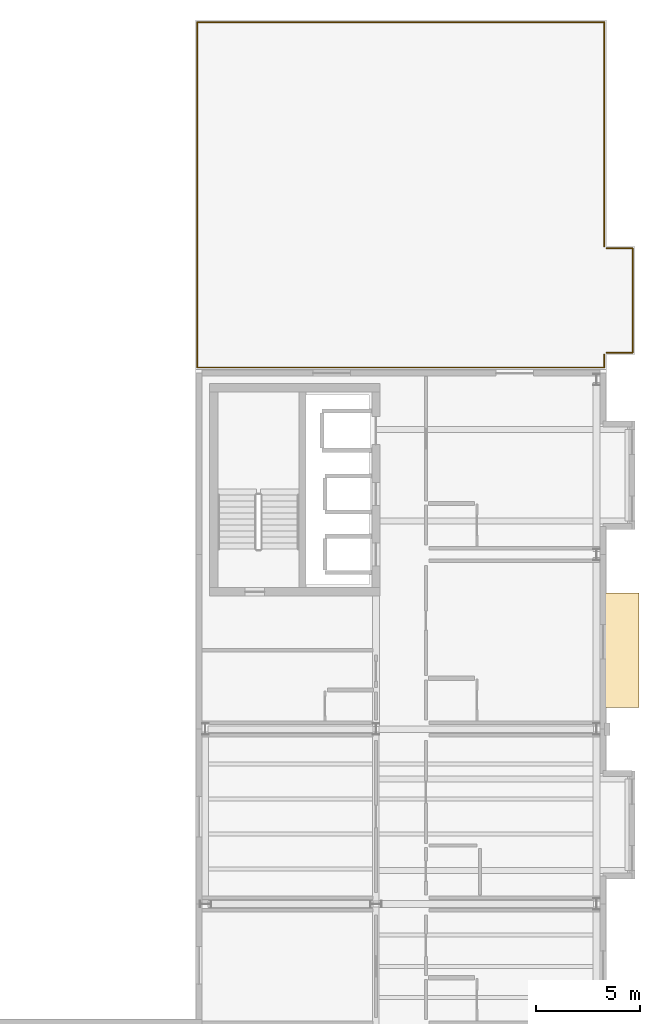
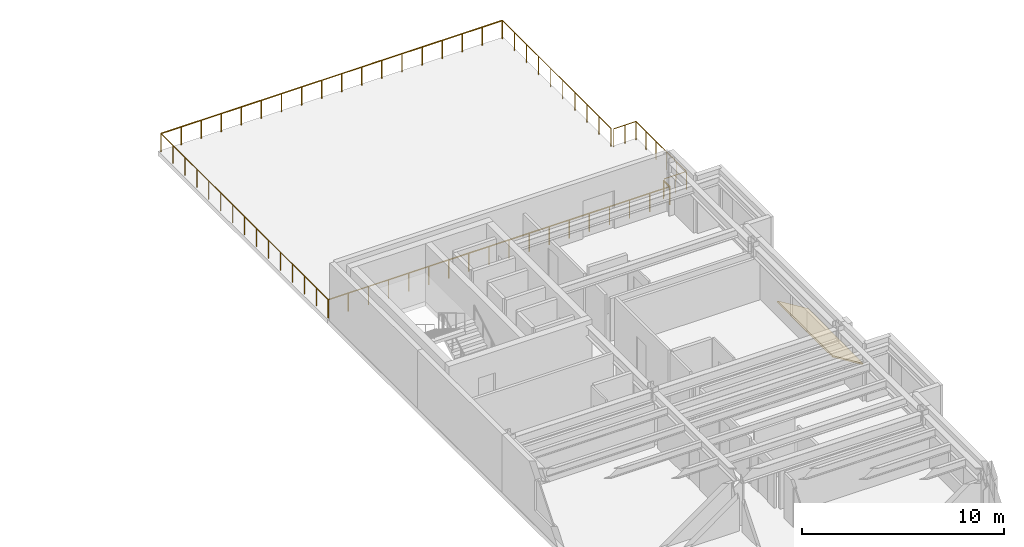
# One storey, part 19 of 19: 8 railings, 1 covering.
"""IFC4 building model written with IfcOpenShell, lengths in metres."""

from ifc_helpers import new_model, si_unit, direction, frame, origin, origin_2d, place, context, subcontext, project, spatial, polyline, circle, outline, extrude, material, layer, layer_set, type_object, element, save


model = new_model("IFC4")

# Units and contexts
model_context = context("Model", 3, precision=1e-05, world=origin(), true_north=direction((0.0, 1.0)))
body_context = subcontext(model_context, "Body", "Model", "MODEL_VIEW")
ifc_project = project(units=[si_unit("LENGTHUNIT", "METRE"), si_unit("AREAUNIT", "SQUARE_METRE"), si_unit("VOLUMEUNIT", "CUBIC_METRE"), si_unit("PLANEANGLEUNIT", "RADIAN"), si_unit("MASSUNIT", "GRAM", prefix="KILO")], contexts=[model_context])

# Site, building, storey
site_placement = place(None, origin())
site = spatial("IfcSite", under=ifc_project, at=site_placement, CompositionType="ELEMENT")
building_placement = place(site_placement, origin())
building = spatial("IfcBuilding", under=site, at=building_placement, Name="Sollismere Congress Hotel", CompositionType="ELEMENT")
storey_placement = place(building_placement, frame((0.0, 0.0, 34.10009765625)))
storey = spatial("IfcBuildingStorey", under=building, at=storey_placement, Name="L08", CompositionType="ELEMENT", Elevation=34.10009765625)

# Covering
ifc_material_1 = material(Name="Standing-Seam Titanium-Zinc Roof Assembly")
ifc_layer = layer(ifc_material_1, 0.054931640625, Name="Standing-Seam Titanium-Zinc Roof Assembly")
ifc_layer_set = layer_set([ifc_layer], Name="Standing-Seam Titanium-Zinc Roof Assembly")
covering_type = type_object("IfcCoveringType", Name="CV-RFZNC", PredefinedType="ROOFING", material=ifc_layer_set)
covering_placement = place(storey_placement, frame((166.258056640625, 34.25, 0.716796875), z_axis=(0.525209771298, 0.0, 0.850972794003), x_axis=(0.850972794003, 0.0, -0.525209771298)))
element("IfcCovering", 1, at=covering_placement, inside=storey, type_object=covering_type, Name="Cikma bay sacak hood SL-CKH-27", PredefinedType="ROOFING", context=body_context, shape_type="SweptSolid", body=[
    extrude(outline(polyline([(0.0, 0.0), (2.056396484375, 0.0), (2.056396484375, 5.5), (0.0, 5.5), (0.0, 0.0)])), origin(), (0.0, 0.0, 1.0), 0.080078125),
])

# Railings
ifc_material_2 = material(Name="Laminated Safety Glass & Bronze Cap Rail", Category="glass")
railing_type = type_object("IfcRailingType", Name="RL-GD112", PredefinedType="GUARDRAIL", material=ifc_material_2)
railing_1_placement = place(storey_placement, frame((167.75, 56.300048828125, 0.0)))
element("IfcRailing", 2, at=railing_1_placement, inside=storey, type_object=railing_type, Name="RLG-GD-L08-016", PredefinedType="GUARDRAIL", context=body_context, shape_type="SweptSolid", body=[
    extrude(circle(Radius=0.02392578125, at=origin_2d()), frame((0.0, 0.0, 1.09619140625), z_axis=(0.0, -1.0, 0.0), x_axis=(1.0, 0.0, 0.0)), (0.0, 0.0, 1.0), 5.0),
    extrude(circle(Radius=0.02099609375, at=origin_2d()), origin(), (0.0, 0.0, 1.0), 1.072021484375),
    extrude(circle(Radius=0.02099609375, at=origin_2d()), frame((0.0, -1.0, 0.0)), (0.0, 0.0, 1.0), 1.072021484375),
    extrude(circle(Radius=0.02099609375, at=origin_2d()), frame((0.0, -2.0, 0.0)), (0.0, 0.0, 1.0), 1.072021484375),
    extrude(circle(Radius=0.02099609375, at=origin_2d()), frame((0.0, -3.0, 0.0)), (0.0, 0.0, 1.0), 1.072021484375),
    extrude(circle(Radius=0.02099609375, at=origin_2d()), frame((0.0, -4.0, 0.0)), (0.0, 0.0, 1.0), 1.072021484375),
    extrude(circle(Radius=0.02099609375, at=origin_2d()), frame((0.0, -5.0, 0.0)), (0.0, 0.0, 1.0), 1.072021484375),
])
railing_2_placement = place(storey_placement, frame((167.75, 51.300048828125, 0.0)))
element("IfcRailing", 3, at=railing_2_placement, inside=storey, type_object=railing_type, Name="RLG-GD-L08-017", PredefinedType="GUARDRAIL", context=body_context, shape_type="SweptSolid", body=[
    extrude(circle(Radius=0.02392578125, at=origin_2d()), frame((0.0, 0.0, 1.09619140625), z_axis=(-1.0, 0.0, 0.0), x_axis=(0.0, -1.0, 0.0)), (0.0, 0.0, 1.0), 1.27001953125),
    extrude(circle(Radius=0.02099609375, at=origin_2d()), origin(), (0.0, 0.0, 1.0), 1.072021484375),
    extrude(circle(Radius=0.02099609375, at=origin_2d()), frame((-0.635009765625, 0.0, 0.0)), (0.0, 0.0, 1.0), 1.072021484375),
    extrude(circle(Radius=0.02099609375, at=origin_2d()), frame((-1.27001953125, 0.0, 0.0)), (0.0, 0.0, 1.0), 1.072021484375),
])
railing_3_placement = place(storey_placement, frame((166.3798828125, 51.199951171875, 0.0)))
element("IfcRailing", 4, at=railing_3_placement, inside=storey, type_object=railing_type, Name="RLG-GD-L08-018", PredefinedType="GUARDRAIL", context=body_context, shape_type="SweptSolid", body=[
    extrude(circle(Radius=0.02392578125, at=origin_2d()), frame((0.0, 0.0, 1.09619140625), z_axis=(0.0, -1.0, 0.0), x_axis=(1.0, 0.0, 0.0)), (0.0, 0.0, 1.0), 0.619873046875),
    extrude(circle(Radius=0.02099609375, at=origin_2d()), origin(), (0.0, 0.0, 1.0), 1.072021484375),
    extrude(circle(Radius=0.02099609375, at=origin_2d()), frame((0.0, -0.619873046875, 0.0)), (0.0, 0.0, 1.0), 1.072021484375),
])
railing_4_placement = place(storey_placement, frame((166.3798828125, 50.580078125, 0.0)))
element("IfcRailing", 5, at=railing_4_placement, inside=storey, type_object=railing_type, Name="RLG-GD-L08-019", PredefinedType="GUARDRAIL", context=body_context, shape_type="SweptSolid", body=[
    extrude(circle(Radius=0.02392578125, at=origin_2d()), frame((0.0, 0.0, 1.09619140625), z_axis=(-1.0, 0.0, 0.0), x_axis=(0.0, -1.0, 0.0)), (0.0, 0.0, 1.0), 19.559814453125),
    extrude(circle(Radius=0.02099609375, at=origin_2d()), origin(), (0.0, 0.0, 1.0), 1.072021484375),
    extrude(circle(Radius=0.02099609375, at=origin_2d()), frame((-1.150634765625, 0.0, 0.0)), (0.0, 0.0, 1.0), 1.072021484375),
    extrude(circle(Radius=0.02099609375, at=origin_2d()), frame((-2.30126953125, 0.0, 0.0)), (0.0, 0.0, 1.0), 1.072021484375),
    extrude(circle(Radius=0.02099609375, at=origin_2d()), frame((-3.45166015625, 0.0, 0.0)), (0.0, 0.0, 1.0), 1.072021484375),
    extrude(circle(Radius=0.02099609375, at=origin_2d()), frame((-4.602294921875, 0.0, 0.0)), (0.0, 0.0, 1.0), 1.072021484375),
    extrude(circle(Radius=0.02099609375, at=origin_2d()), frame((-5.7529296875, 0.0, 0.0)), (0.0, 0.0, 1.0), 1.072021484375),
    extrude(circle(Radius=0.02099609375, at=origin_2d()), frame((-6.903564453125, 0.0, 0.0)), (0.0, 0.0, 1.0), 1.072021484375),
    extrude(circle(Radius=0.02099609375, at=origin_2d()), frame((-8.053955078125, 0.0, 0.0)), (0.0, 0.0, 1.0), 1.072021484375),
    extrude(circle(Radius=0.02099609375, at=origin_2d()), frame((-9.20458984375, 0.0, 0.0)), (0.0, 0.0, 1.0), 1.072021484375),
    extrude(circle(Radius=0.02099609375, at=origin_2d()), frame((-10.355224609375, 0.0, 0.0)), (0.0, 0.0, 1.0), 1.072021484375),
    extrude(circle(Radius=0.02099609375, at=origin_2d()), frame((-11.505859375, 0.0, 0.0)), (0.0, 0.0, 1.0), 1.072021484375),
    extrude(circle(Radius=0.02099609375, at=origin_2d()), frame((-12.65625, 0.0, 0.0)), (0.0, 0.0, 1.0), 1.072021484375),
    extrude(circle(Radius=0.02099609375, at=origin_2d()), frame((-13.806884765625, 0.0, 0.0)), (0.0, 0.0, 1.0), 1.072021484375),
    extrude(circle(Radius=0.02099609375, at=origin_2d()), frame((-14.95751953125, 0.0, 0.0)), (0.0, 0.0, 1.0), 1.072021484375),
    extrude(circle(Radius=0.02099609375, at=origin_2d()), frame((-16.108154296875, 0.0, 0.0)), (0.0, 0.0, 1.0), 1.072021484375),
    extrude(circle(Radius=0.02099609375, at=origin_2d()), frame((-17.258544921875, 0.0, 0.0)), (0.0, 0.0, 1.0), 1.072021484375),
    extrude(circle(Radius=0.02099609375, at=origin_2d()), frame((-18.4091796875, 0.0, 0.0)), (0.0, 0.0, 1.0), 1.072021484375),
    extrude(circle(Radius=0.02099609375, at=origin_2d()), frame((-19.559814453125, 0.0, 0.0)), (0.0, 0.0, 1.0), 1.072021484375),
])
railing_5_placement = place(storey_placement, frame((146.820068359375, 50.580078125, 0.0)))
element("IfcRailing", 6, at=railing_5_placement, inside=storey, type_object=railing_type, Name="RLG-GD-L08-020", PredefinedType="GUARDRAIL", context=body_context, shape_type="SweptSolid", body=[
    extrude(circle(Radius=0.02392578125, at=origin_2d()), frame((0.0, 0.0, 1.09619140625), z_axis=(0.0, 1.0, 0.0), x_axis=(-1.0, 0.0, 0.0)), (0.0, 0.0, 1.0), 16.599853515625),
    extrude(circle(Radius=0.02099609375, at=origin_2d()), origin(), (0.0, 0.0, 1.0), 1.072021484375),
    extrude(circle(Radius=0.02099609375, at=origin_2d()), frame((0.0, 1.185791015625, 0.0)), (0.0, 0.0, 1.0), 1.072021484375),
    extrude(circle(Radius=0.02099609375, at=origin_2d()), frame((0.0, 2.371337890625, 0.0)), (0.0, 0.0, 1.0), 1.072021484375),
    extrude(circle(Radius=0.02099609375, at=origin_2d()), frame((0.0, 3.55712890625, 0.0)), (0.0, 0.0, 1.0), 1.072021484375),
    extrude(circle(Radius=0.02099609375, at=origin_2d()), frame((0.0, 4.742919921875, 0.0)), (0.0, 0.0, 1.0), 1.072021484375),
    extrude(circle(Radius=0.02099609375, at=origin_2d()), frame((0.0, 5.928466796875, 0.0)), (0.0, 0.0, 1.0), 1.072021484375),
    extrude(circle(Radius=0.02099609375, at=origin_2d()), frame((0.0, 7.1142578125, 0.0)), (0.0, 0.0, 1.0), 1.072021484375),
    extrude(circle(Radius=0.02099609375, at=origin_2d()), frame((0.0, 8.2998046875, 0.0)), (0.0, 0.0, 1.0), 1.072021484375),
    extrude(circle(Radius=0.02099609375, at=origin_2d()), frame((0.0, 9.485595703125, 0.0)), (0.0, 0.0, 1.0), 1.072021484375),
    extrude(circle(Radius=0.02099609375, at=origin_2d()), frame((0.0, 10.67138671875, 0.0)), (0.0, 0.0, 1.0), 1.072021484375),
    extrude(circle(Radius=0.02099609375, at=origin_2d()), frame((0.0, 11.85693359375, 0.0)), (0.0, 0.0, 1.0), 1.072021484375),
    extrude(circle(Radius=0.02099609375, at=origin_2d()), frame((0.0, 13.042724609375, 0.0)), (0.0, 0.0, 1.0), 1.072021484375),
    extrude(circle(Radius=0.02099609375, at=origin_2d()), frame((0.0, 14.228515625, 0.0)), (0.0, 0.0, 1.0), 1.072021484375),
    extrude(circle(Radius=0.02099609375, at=origin_2d()), frame((0.0, 15.4140625, 0.0)), (0.0, 0.0, 1.0), 1.072021484375),
    extrude(circle(Radius=0.02099609375, at=origin_2d()), frame((0.0, 16.599853515625, 0.0)), (0.0, 0.0, 1.0), 1.072021484375),
])
railing_6_placement = place(storey_placement, frame((146.820068359375, 67.179931640625, 0.0)))
element("IfcRailing", 7, at=railing_6_placement, inside=storey, type_object=railing_type, Name="RLG-GD-L08-021", PredefinedType="GUARDRAIL", context=body_context, shape_type="SweptSolid", body=[
    extrude(circle(Radius=0.02392578125, at=origin_2d()), frame((0.0, 0.0, 1.09619140625), z_axis=(1.0, 0.0, 0.0), x_axis=(0.0, 1.0, 0.0)), (0.0, 0.0, 1.0), 19.559814453125),
    extrude(circle(Radius=0.02099609375, at=origin_2d()), origin(), (0.0, 0.0, 1.0), 1.072021484375),
    extrude(circle(Radius=0.02099609375, at=origin_2d()), frame((1.150634765625, 0.0, 0.0)), (0.0, 0.0, 1.0), 1.072021484375),
    extrude(circle(Radius=0.02099609375, at=origin_2d()), frame((2.30126953125, 0.0, 0.0)), (0.0, 0.0, 1.0), 1.072021484375),
    extrude(circle(Radius=0.02099609375, at=origin_2d()), frame((3.45166015625, 0.0, 0.0)), (0.0, 0.0, 1.0), 1.072021484375),
    extrude(circle(Radius=0.02099609375, at=origin_2d()), frame((4.602294921875, 0.0, 0.0)), (0.0, 0.0, 1.0), 1.072021484375),
    extrude(circle(Radius=0.02099609375, at=origin_2d()), frame((5.7529296875, 0.0, 0.0)), (0.0, 0.0, 1.0), 1.072021484375),
    extrude(circle(Radius=0.02099609375, at=origin_2d()), frame((6.903564453125, 0.0, 0.0)), (0.0, 0.0, 1.0), 1.072021484375),
    extrude(circle(Radius=0.02099609375, at=origin_2d()), frame((8.053955078125, 0.0, 0.0)), (0.0, 0.0, 1.0), 1.072021484375),
    extrude(circle(Radius=0.02099609375, at=origin_2d()), frame((9.20458984375, 0.0, 0.0)), (0.0, 0.0, 1.0), 1.072021484375),
    extrude(circle(Radius=0.02099609375, at=origin_2d()), frame((10.355224609375, 0.0, 0.0)), (0.0, 0.0, 1.0), 1.072021484375),
    extrude(circle(Radius=0.02099609375, at=origin_2d()), frame((11.505859375, 0.0, 0.0)), (0.0, 0.0, 1.0), 1.072021484375),
    extrude(circle(Radius=0.02099609375, at=origin_2d()), frame((12.65625, 0.0, 0.0)), (0.0, 0.0, 1.0), 1.072021484375),
    extrude(circle(Radius=0.02099609375, at=origin_2d()), frame((13.806884765625, 0.0, 0.0)), (0.0, 0.0, 1.0), 1.072021484375),
    extrude(circle(Radius=0.02099609375, at=origin_2d()), frame((14.95751953125, 0.0, 0.0)), (0.0, 0.0, 1.0), 1.072021484375),
    extrude(circle(Radius=0.02099609375, at=origin_2d()), frame((16.108154296875, 0.0, 0.0)), (0.0, 0.0, 1.0), 1.072021484375),
    extrude(circle(Radius=0.02099609375, at=origin_2d()), frame((17.258544921875, 0.0, 0.0)), (0.0, 0.0, 1.0), 1.072021484375),
    extrude(circle(Radius=0.02099609375, at=origin_2d()), frame((18.4091796875, 0.0, 0.0)), (0.0, 0.0, 1.0), 1.072021484375),
    extrude(circle(Radius=0.02099609375, at=origin_2d()), frame((19.559814453125, 0.0, 0.0)), (0.0, 0.0, 1.0), 1.072021484375),
])
railing_7_placement = place(storey_placement, frame((166.3798828125, 67.179931640625, 0.0)))
element("IfcRailing", 8, at=railing_7_placement, inside=storey, type_object=railing_type, Name="RLG-GD-L08-022", PredefinedType="GUARDRAIL", context=body_context, shape_type="SweptSolid", body=[
    extrude(circle(Radius=0.02392578125, at=origin_2d()), frame((0.0, 0.0, 1.09619140625), z_axis=(0.0, -1.0, 0.0), x_axis=(1.0, 0.0, 0.0)), (0.0, 0.0, 1.0), 10.780029296875),
    extrude(circle(Radius=0.02099609375, at=origin_2d()), origin(), (0.0, 0.0, 1.0), 1.072021484375),
    extrude(circle(Radius=0.02099609375, at=origin_2d()), frame((0.0, -1.19775390625, 0.0)), (0.0, 0.0, 1.0), 1.072021484375),
    extrude(circle(Radius=0.02099609375, at=origin_2d()), frame((0.0, -2.3955078125, 0.0)), (0.0, 0.0, 1.0), 1.072021484375),
    extrude(circle(Radius=0.02099609375, at=origin_2d()), frame((0.0, -3.59326171875, 0.0)), (0.0, 0.0, 1.0), 1.072021484375),
    extrude(circle(Radius=0.02099609375, at=origin_2d()), frame((0.0, -4.791015625, 0.0)), (0.0, 0.0, 1.0), 1.072021484375),
    extrude(circle(Radius=0.02099609375, at=origin_2d()), frame((0.0, -5.989013671875, 0.0)), (0.0, 0.0, 1.0), 1.072021484375),
    extrude(circle(Radius=0.02099609375, at=origin_2d()), frame((0.0, -7.186767578125, 0.0)), (0.0, 0.0, 1.0), 1.072021484375),
    extrude(circle(Radius=0.02099609375, at=origin_2d()), frame((0.0, -8.384521484375, 0.0)), (0.0, 0.0, 1.0), 1.072021484375),
    extrude(circle(Radius=0.02099609375, at=origin_2d()), frame((0.0, -9.582275390625, 0.0)), (0.0, 0.0, 1.0), 1.072021484375),
    extrude(circle(Radius=0.02099609375, at=origin_2d()), frame((0.0, -10.780029296875, 0.0)), (0.0, 0.0, 1.0), 1.072021484375),
])
railing_8_placement = place(storey_placement, frame((166.47998046875, 56.300048828125, 0.0)))
element("IfcRailing", 9, at=railing_8_placement, inside=storey, type_object=railing_type, Name="RLG-GD-L08-023", PredefinedType="GUARDRAIL", context=body_context, shape_type="SweptSolid", body=[
    extrude(circle(Radius=0.02392578125, at=origin_2d()), frame((0.0, 0.0, 1.09619140625), z_axis=(1.0, 0.0, 0.0), x_axis=(0.0, 1.0, 0.0)), (0.0, 0.0, 1.0), 1.27001953125),
    extrude(circle(Radius=0.02099609375, at=origin_2d()), origin(), (0.0, 0.0, 1.0), 1.072021484375),
    extrude(circle(Radius=0.02099609375, at=origin_2d()), frame((0.635009765625, 0.0, 0.0)), (0.0, 0.0, 1.0), 1.072021484375),
    extrude(circle(Radius=0.02099609375, at=origin_2d()), frame((1.27001953125, 0.0, 0.0)), (0.0, 0.0, 1.0), 1.072021484375),
])

save(model, "model.ifc")
